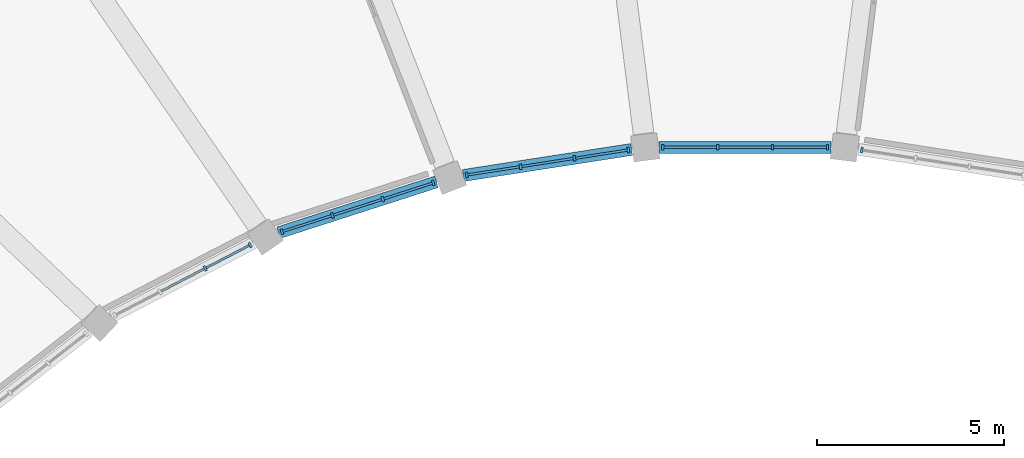
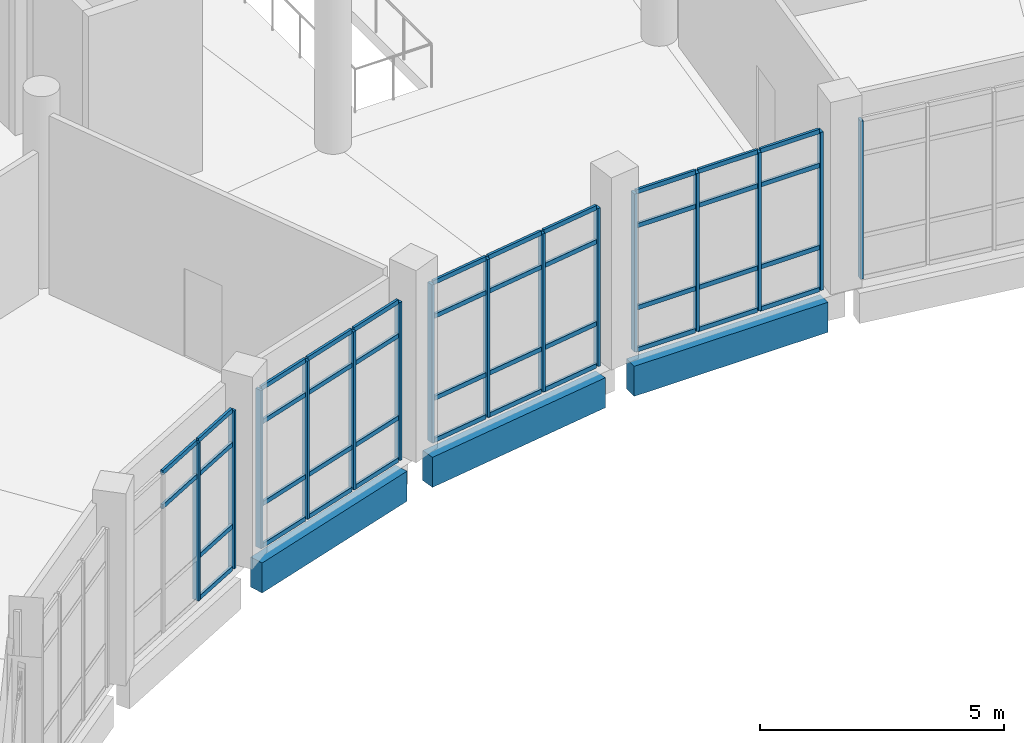
# One storey, part 20 of 179: 57 members, 3 beams, 5 elements without a shape of their own.
"""IFC4 building model written with IfcOpenShell, lengths in metres."""

from ifc_helpers import new_model, si_unit, direction, frame, origin, origin_2d, place, context, subcontext, project, spatial, rectangle, extrude, material, layer, layer_set, material_profile, profile_set, type_object, element, aggregate, save


model = new_model("IFC4")

# Units and contexts
model_context = context("Model", 3, precision=1e-05, world=origin(), true_north=direction((0.0, 1.0)))
body_context = subcontext(model_context, "Body", "Model", "MODEL_VIEW")
ifc_project = project(units=[si_unit("LENGTHUNIT", "METRE"), si_unit("AREAUNIT", "SQUARE_METRE"), si_unit("VOLUMEUNIT", "CUBIC_METRE"), si_unit("PLANEANGLEUNIT", "RADIAN"), si_unit("MASSUNIT", "GRAM", prefix="KILO")], contexts=[model_context])

# Site, building, storey
site_placement = place(None, origin())
site = spatial("IfcSite", under=ifc_project, at=site_placement, CompositionType="ELEMENT")
building_placement = place(site_placement, origin())
building = spatial("IfcBuilding", under=site, at=building_placement, Name="Corvandel Quay Wholesale Market", CompositionType="ELEMENT")
storey_placement = place(building_placement, frame((0.0, 0.0, 6.0)))
storey = spatial("IfcBuildingStorey", under=building, at=storey_placement, Name="L01", CompositionType="ELEMENT", Elevation=6.0)

# Curtain wall, member
ifc_material_1 = material(Name="Bronze anodised aluminium and low-E insulated glazing", Category="aluminium")
ifc_layer_1 = layer(ifc_material_1, 0.162109375)
ifc_layer_set_1 = layer_set([ifc_layer_1], Name="Bronze anodised aluminium and low-E insulated glazing")
curtain_wall_type_1 = type_object("IfcCurtainWallType", Name="Stick Curtain Wall System CW21 H4890", PredefinedType="NOTDEFINED", material=ifc_layer_set_1)
curtain_wall_1_placement = place(storey_placement, origin())
curtain_wall_1 = element("IfcCurtainWall", 1, at=curtain_wall_1_placement, inside=storey, type_object=curtain_wall_type_1, Name="Curtain Wall CW-0020", PredefinedType="NOTDEFINED")
ifc_material_2 = material(Name="Anodised aluminium 6063-T6", Category="aluminium")
ifc_material_profile_1 = material_profile(ifc_material_2, rectangle(XDim=0.06494140625, YDim=0.14990234375, at=origin_2d()), Name="ALU-MUL-65x150")
ifc_profile_set_1 = profile_set([ifc_material_profile_1], Name="Anodised aluminium 6063-T6")
member_type_1 = type_object("IfcMemberType", Name="Curtain Wall Mullion ML02 65x150", PredefinedType="MULLION", material=ifc_profile_set_1)
member_1_placement = place(storey_placement, frame((117.113525390625, 62.9296875, 0.0), z_axis=(0.0, 0.0, 1.0), x_axis=(-0.98825506746, 0.152813355565, 0.0)))
member_1 = element("IfcMember", 2, at=member_1_placement, type_object=member_type_1, Name="Mullion CW-0020-M03", PredefinedType="MULLION", context=body_context, shape_type="SweptSolid", body=[
    extrude(rectangle(XDim=0.06494140625, YDim=0.14990234375, at=origin_2d()), origin(), (0.0, 0.0, 1.0), 3.949951171875),
])
aggregate(curtain_wall_1, [member_1])

# Curtain wall, members
ifc_layer_2 = layer(ifc_material_1, 0.174072265625)
ifc_layer_set_2 = layer_set([ifc_layer_2], Name="Bronze anodised aluminium and low-E insulated glazing")
curtain_wall_type_2 = type_object("IfcCurtainWallType", Name="Stick Curtain Wall System CW22 H4980", PredefinedType="NOTDEFINED", material=ifc_layer_set_2)
curtain_wall_2_placement = place(storey_placement, origin())
curtain_wall_2 = element("IfcCurtainWall", 3, at=curtain_wall_2_placement, inside=storey, type_object=curtain_wall_type_2, Name="Curtain Wall CW-0022", PredefinedType="NOTDEFINED")
member_2_placement = place(storey_placement, frame((116.198974609375, 63.0, 0.0), z_axis=(0.0, 0.0, 1.0), x_axis=(1.0, 0.0, 0.0)))
member_2 = element("IfcMember", 4, at=member_2_placement, type_object=member_type_1, Name="Mullion CW-0022-M00", PredefinedType="MULLION", context=body_context, shape_type="SweptSolid", body=[
    extrude(rectangle(XDim=0.06494140625, YDim=0.14990234375, at=origin_2d()), origin(), (0.0, 0.0, 1.0), 3.949951171875),
])
member_3_placement = place(storey_placement, frame((114.73291015625, 63.0, 0.0), z_axis=(0.0, 0.0, 1.0), x_axis=(1.0, 0.0, 0.0)))
member_3 = element("IfcMember", 5, at=member_3_placement, type_object=member_type_1, Name="Mullion CW-0022-M01", PredefinedType="MULLION", context=body_context, shape_type="SweptSolid", body=[
    extrude(rectangle(XDim=0.06494140625, YDim=0.14990234375, at=origin_2d()), origin(), (0.0, 0.0, 1.0), 3.949951171875),
])
member_4_placement = place(storey_placement, frame((113.26708984375, 63.0, 0.0), z_axis=(0.0, 0.0, 1.0), x_axis=(1.0, 0.0, 0.0)))
member_4 = element("IfcMember", 6, at=member_4_placement, type_object=member_type_1, Name="Mullion CW-0022-M02", PredefinedType="MULLION", context=body_context, shape_type="SweptSolid", body=[
    extrude(rectangle(XDim=0.06494140625, YDim=0.14990234375, at=origin_2d()), origin(), (0.0, 0.0, 1.0), 3.949951171875),
])
member_5_placement = place(storey_placement, frame((111.801025390625, 63.0, 0.0), z_axis=(0.0, 0.0, 1.0), x_axis=(1.0, 0.0, 0.0)))
member_5 = element("IfcMember", 7, at=member_5_placement, type_object=member_type_1, Name="Mullion CW-0022-M03", PredefinedType="MULLION", context=body_context, shape_type="SweptSolid", body=[
    extrude(rectangle(XDim=0.06494140625, YDim=0.14990234375, at=origin_2d()), origin(), (0.0, 0.0, 1.0), 3.949951171875),
])

ifc_layer_3 = layer(ifc_material_1, 0.18603515625)
ifc_layer_set_3 = layer_set([ifc_layer_3], Name="Bronze anodised aluminium and low-E insulated glazing")
curtain_wall_type_3 = type_object("IfcCurtainWallType", Name="Stick Curtain Wall System CW23 H5070", PredefinedType="NOTDEFINED", material=ifc_layer_set_3)
curtain_wall_3_placement = place(storey_placement, origin())
curtain_wall_3 = element("IfcCurtainWall", 8, at=curtain_wall_3_placement, inside=storey, type_object=curtain_wall_type_3, Name="Curtain Wall CW-0025", PredefinedType="NOTDEFINED")
member_6_placement = place(storey_placement, frame((110.886474609375, 62.9296875, 0.0), z_axis=(0.0, 0.0, 1.0), x_axis=(0.98825506746, 0.152813355565, 0.0)))
member_6 = element("IfcMember", 9, at=member_6_placement, type_object=member_type_1, Name="Mullion CW-0025-M00", PredefinedType="MULLION", context=body_context, shape_type="SweptSolid", body=[
    extrude(rectangle(XDim=0.06494140625, YDim=0.14990234375, at=origin_2d()), origin(), (0.0, 0.0, 1.0), 3.949951171875),
])
member_7_placement = place(storey_placement, frame((109.450439453125, 62.70751953125, 0.0), z_axis=(0.0, 0.0, 1.0), x_axis=(0.98825506746, 0.152813355565, 0.0)))
member_7 = element("IfcMember", 10, at=member_7_placement, type_object=member_type_1, Name="Mullion CW-0025-M01", PredefinedType="MULLION", context=body_context, shape_type="SweptSolid", body=[
    extrude(rectangle(XDim=0.06494140625, YDim=0.14990234375, at=origin_2d()), origin(), (0.0, 0.0, 1.0), 3.949951171875),
])
member_8_placement = place(storey_placement, frame((108.014404296875, 62.4853515625, 0.0), z_axis=(0.0, 0.0, 1.0), x_axis=(0.98825506746, 0.152813355565, 0.0)))
member_8 = element("IfcMember", 11, at=member_8_placement, type_object=member_type_1, Name="Mullion CW-0025-M02", PredefinedType="MULLION", context=body_context, shape_type="SweptSolid", body=[
    extrude(rectangle(XDim=0.06494140625, YDim=0.14990234375, at=origin_2d()), origin(), (0.0, 0.0, 1.0), 3.949951171875),
])
member_9_placement = place(storey_placement, frame((106.57861328125, 62.26318359375, 0.0), z_axis=(0.0, 0.0, 1.0), x_axis=(0.98825506746, 0.152813355565, 0.0)))
member_9 = element("IfcMember", 12, at=member_9_placement, type_object=member_type_1, Name="Mullion CW-0025-M03", PredefinedType="MULLION", context=body_context, shape_type="SweptSolid", body=[
    extrude(rectangle(XDim=0.06494140625, YDim=0.14990234375, at=origin_2d()), origin(), (0.0, 0.0, 1.0), 3.949951171875),
])

ifc_layer_4 = layer(ifc_material_1, 0.197998046875)
ifc_layer_set_4 = layer_set([ifc_layer_4], Name="Bronze anodised aluminium and low-E insulated glazing")
curtain_wall_type_4 = type_object("IfcCurtainWallType", Name="Stick Curtain Wall System CW24 H5160", PredefinedType="NOTDEFINED", material=ifc_layer_set_4)
curtain_wall_4_placement = place(storey_placement, origin())
curtain_wall_4 = element("IfcCurtainWall", 13, at=curtain_wall_4_placement, inside=storey, type_object=curtain_wall_type_4, Name="Curtain Wall CW-0028", PredefinedType="NOTDEFINED")
member_10_placement = place(storey_placement, frame((105.686279296875, 62.052001953125, 0.0), z_axis=(0.0, 0.0, 1.0), x_axis=(0.951808747363, 0.306692204733, 0.0)))
member_10 = element("IfcMember", 14, at=member_10_placement, type_object=member_type_1, Name="Mullion CW-0028-M00", PredefinedType="MULLION", context=body_context, shape_type="SweptSolid", body=[
    extrude(rectangle(XDim=0.06494140625, YDim=0.14990234375, at=origin_2d()), origin(), (0.0, 0.0, 1.0), 3.949951171875),
])
member_11_placement = place(storey_placement, frame((104.34033203125, 61.618408203125, 0.0), z_axis=(0.0, 0.0, 1.0), x_axis=(0.951808747363, 0.306692204733, 0.0)))
member_11 = element("IfcMember", 15, at=member_11_placement, type_object=member_type_1, Name="Mullion CW-0028-M01", PredefinedType="MULLION", context=body_context, shape_type="SweptSolid", body=[
    extrude(rectangle(XDim=0.06494140625, YDim=0.14990234375, at=origin_2d()), origin(), (0.0, 0.0, 1.0), 3.949951171875),
])
member_12_placement = place(storey_placement, frame((102.99462890625, 61.184814453125, 0.0), z_axis=(0.0, 0.0, 1.0), x_axis=(0.951808747363, 0.306692204733, 0.0)))
member_12 = element("IfcMember", 16, at=member_12_placement, type_object=member_type_1, Name="Mullion CW-0028-M02", PredefinedType="MULLION", context=body_context, shape_type="SweptSolid", body=[
    extrude(rectangle(XDim=0.06494140625, YDim=0.14990234375, at=origin_2d()), origin(), (0.0, 0.0, 1.0), 3.949951171875),
])
member_13_placement = place(storey_placement, frame((101.648681640625, 60.751220703125, 0.0), z_axis=(0.0, 0.0, 1.0), x_axis=(0.951808747363, 0.306692204733, 0.0)))
member_13 = element("IfcMember", 17, at=member_13_placement, type_object=member_type_1, Name="Mullion CW-0028-M03", PredefinedType="MULLION", context=body_context, shape_type="SweptSolid", body=[
    extrude(rectangle(XDim=0.06494140625, YDim=0.14990234375, at=origin_2d()), origin(), (0.0, 0.0, 1.0), 3.949951171875),
])

ifc_layer_5 = layer(ifc_material_1, 0.14990234375)
ifc_layer_set_5 = layer_set([ifc_layer_5], Name="Bronze anodised aluminium and low-E insulated glazing")
curtain_wall_type_5 = type_object("IfcCurtainWallType", Name="Stick Curtain Wall System CW25 H5250", PredefinedType="NOTDEFINED", material=ifc_layer_set_5)
curtain_wall_5_placement = place(storey_placement, origin())
curtain_wall_5 = element("IfcCurtainWall", 18, at=curtain_wall_5_placement, inside=storey, type_object=curtain_wall_type_5, Name="Curtain Wall CW-0032", PredefinedType="NOTDEFINED")
member_14_placement = place(storey_placement, frame((100.802734375, 60.39794921875, 0.0), z_axis=(0.0, 0.0, 1.0), x_axis=(0.887332978338, 0.461129250378, 0.0)))
member_14 = element("IfcMember", 19, at=member_14_placement, type_object=member_type_1, Name="Mullion CW-0032-M00", PredefinedType="MULLION", context=body_context, shape_type="SweptSolid", body=[
    extrude(rectangle(XDim=0.06494140625, YDim=0.14990234375, at=origin_2d()), origin(), (0.0, 0.0, 1.0), 3.949951171875),
])
member_15_placement = place(storey_placement, frame((99.600830078125, 59.773193359375, 0.0), z_axis=(0.0, 0.0, 1.0), x_axis=(0.887332978338, 0.461129250378, 0.0)))
member_15 = element("IfcMember", 20, at=member_15_placement, type_object=member_type_1, Name="Mullion CW-0032-M01", PredefinedType="MULLION", context=body_context, shape_type="SweptSolid", body=[
    extrude(rectangle(XDim=0.06494140625, YDim=0.14990234375, at=origin_2d()), origin(), (0.0, 0.0, 1.0), 3.949951171875),
])

# Member
ifc_material_profile_2 = material_profile(ifc_material_2, rectangle(XDim=0.06005859375, YDim=0.110107421875, at=origin_2d()), Name="ALU-TRN-60x110")
ifc_profile_set_2 = profile_set([ifc_material_profile_2], Name="Anodised aluminium 6063-T6")
member_type_2 = type_object("IfcMemberType", Name="Curtain Wall Transom TR02 60x110", PredefinedType="USERDEFINED", material=ifc_profile_set_2)
member_16_placement = place(storey_placement, frame((116.16650390625, 63.0, 0.0), z_axis=(-1.0, 0.0, 0.0), x_axis=(0.0, -1.0, 0.0)))
member_16 = element("IfcMember", 21, at=member_16_placement, type_object=member_type_2, Name="Transom CW-0022-T00-0", ObjectType="TRANSOM", PredefinedType="USERDEFINED", context=body_context, shape_type="SweptSolid", body=[
    extrude(rectangle(XDim=0.06005859375, YDim=0.110107421875, at=origin_2d()), origin(), (0.0, 0.0, 1.0), 1.401123046875),
])

member_17_placement = place(storey_placement, frame((116.16650390625, 63.0, 1.050048828125), z_axis=(-1.0, 0.0, 0.0), x_axis=(0.0, -1.0, 0.0)))
member_17 = element("IfcMember", 22, at=member_17_placement, type_object=member_type_2, Name="Transom CW-0022-T00-1", ObjectType="TRANSOM", PredefinedType="USERDEFINED", context=body_context, shape_type="SweptSolid", body=[
    extrude(rectangle(XDim=0.06005859375, YDim=0.110107421875, at=origin_2d()), origin(), (0.0, 0.0, 1.0), 1.401123046875),
])

member_18_placement = place(storey_placement, frame((116.16650390625, 63.0, 3.10009765625), z_axis=(-1.0, 0.0, 0.0), x_axis=(0.0, -1.0, 0.0)))
member_18 = element("IfcMember", 23, at=member_18_placement, type_object=member_type_2, Name="Transom CW-0022-T00-2", ObjectType="TRANSOM", PredefinedType="USERDEFINED", context=body_context, shape_type="SweptSolid", body=[
    extrude(rectangle(XDim=0.06005859375, YDim=0.110107421875, at=origin_2d()), origin(), (0.0, 0.0, 1.0), 1.401123046875),
])

member_19_placement = place(storey_placement, frame((116.16650390625, 63.0, 3.949951171875), z_axis=(-1.0, 0.0, 0.0), x_axis=(0.0, -1.0, 0.0)))
member_19 = element("IfcMember", 24, at=member_19_placement, type_object=member_type_2, Name="Transom CW-0022-T00-3", ObjectType="TRANSOM", PredefinedType="USERDEFINED", context=body_context, shape_type="SweptSolid", body=[
    extrude(rectangle(XDim=0.06005859375, YDim=0.110107421875, at=origin_2d()), origin(), (0.0, 0.0, 1.0), 1.401123046875),
])

member_20_placement = place(storey_placement, frame((114.700439453125, 63.0, 0.0), z_axis=(-1.0, 0.0, 0.0), x_axis=(0.0, -1.0, 0.0)))
member_20 = element("IfcMember", 25, at=member_20_placement, type_object=member_type_2, Name="Transom CW-0022-T01-0", ObjectType="TRANSOM", PredefinedType="USERDEFINED", context=body_context, shape_type="SweptSolid", body=[
    extrude(rectangle(XDim=0.06005859375, YDim=0.110107421875, at=origin_2d()), origin(), (0.0, 0.0, 1.0), 1.40087890625),
])

member_21_placement = place(storey_placement, frame((114.700439453125, 63.0, 1.050048828125), z_axis=(-1.0, 0.0, 0.0), x_axis=(0.0, -1.0, 0.0)))
member_21 = element("IfcMember", 26, at=member_21_placement, type_object=member_type_2, Name="Transom CW-0022-T01-1", ObjectType="TRANSOM", PredefinedType="USERDEFINED", context=body_context, shape_type="SweptSolid", body=[
    extrude(rectangle(XDim=0.06005859375, YDim=0.110107421875, at=origin_2d()), origin(), (0.0, 0.0, 1.0), 1.40087890625),
])

member_22_placement = place(storey_placement, frame((114.700439453125, 63.0, 3.10009765625), z_axis=(-1.0, 0.0, 0.0), x_axis=(0.0, -1.0, 0.0)))
member_22 = element("IfcMember", 27, at=member_22_placement, type_object=member_type_2, Name="Transom CW-0022-T01-2", ObjectType="TRANSOM", PredefinedType="USERDEFINED", context=body_context, shape_type="SweptSolid", body=[
    extrude(rectangle(XDim=0.06005859375, YDim=0.110107421875, at=origin_2d()), origin(), (0.0, 0.0, 1.0), 1.40087890625),
])

member_23_placement = place(storey_placement, frame((114.700439453125, 63.0, 3.949951171875), z_axis=(-1.0, 0.0, 0.0), x_axis=(0.0, -1.0, 0.0)))
member_23 = element("IfcMember", 28, at=member_23_placement, type_object=member_type_2, Name="Transom CW-0022-T01-3", ObjectType="TRANSOM", PredefinedType="USERDEFINED", context=body_context, shape_type="SweptSolid", body=[
    extrude(rectangle(XDim=0.06005859375, YDim=0.110107421875, at=origin_2d()), origin(), (0.0, 0.0, 1.0), 1.40087890625),
])

member_24_placement = place(storey_placement, frame((113.234619140625, 63.0, 0.0), z_axis=(-1.0, 0.0, 0.0), x_axis=(0.0, -1.0, 0.0)))
member_24 = element("IfcMember", 29, at=member_24_placement, type_object=member_type_2, Name="Transom CW-0022-T02-0", ObjectType="TRANSOM", PredefinedType="USERDEFINED", context=body_context, shape_type="SweptSolid", body=[
    extrude(rectangle(XDim=0.06005859375, YDim=0.110107421875, at=origin_2d()), origin(), (0.0, 0.0, 1.0), 1.401123046875),
])

member_25_placement = place(storey_placement, frame((113.234619140625, 63.0, 1.050048828125), z_axis=(-1.0, 0.0, 0.0), x_axis=(0.0, -1.0, 0.0)))
member_25 = element("IfcMember", 30, at=member_25_placement, type_object=member_type_2, Name="Transom CW-0022-T02-1", ObjectType="TRANSOM", PredefinedType="USERDEFINED", context=body_context, shape_type="SweptSolid", body=[
    extrude(rectangle(XDim=0.06005859375, YDim=0.110107421875, at=origin_2d()), origin(), (0.0, 0.0, 1.0), 1.401123046875),
])

member_26_placement = place(storey_placement, frame((113.234619140625, 63.0, 3.10009765625), z_axis=(-1.0, 0.0, 0.0), x_axis=(0.0, -1.0, 0.0)))
member_26 = element("IfcMember", 31, at=member_26_placement, type_object=member_type_2, Name="Transom CW-0022-T02-2", ObjectType="TRANSOM", PredefinedType="USERDEFINED", context=body_context, shape_type="SweptSolid", body=[
    extrude(rectangle(XDim=0.06005859375, YDim=0.110107421875, at=origin_2d()), origin(), (0.0, 0.0, 1.0), 1.401123046875),
])

member_27_placement = place(storey_placement, frame((113.234619140625, 63.0, 3.949951171875), z_axis=(-1.0, 0.0, 0.0), x_axis=(0.0, -1.0, 0.0)))
member_27 = element("IfcMember", 32, at=member_27_placement, type_object=member_type_2, Name="Transom CW-0022-T02-3", ObjectType="TRANSOM", PredefinedType="USERDEFINED", context=body_context, shape_type="SweptSolid", body=[
    extrude(rectangle(XDim=0.06005859375, YDim=0.110107421875, at=origin_2d()), origin(), (0.0, 0.0, 1.0), 1.401123046875),
])

aggregate(curtain_wall_2, [member_2, member_3, member_4, member_5, member_16, member_17, member_18, member_19, member_20, member_21, member_22, member_23, member_24, member_25, member_26, member_27])

member_28_placement = place(storey_placement, frame((110.854248046875, 62.9248046875, 0.0), z_axis=(-0.988220730505, -0.153035250185, 0.0), x_axis=(0.153035250185, -0.988220730505, 0.0)))
member_28 = element("IfcMember", 33, at=member_28_placement, type_object=member_type_2, Name="Transom CW-0025-T00-0", ObjectType="TRANSOM", PredefinedType="USERDEFINED", context=body_context, shape_type="SweptSolid", body=[
    extrude(rectangle(XDim=0.06005859375, YDim=0.110107421875, at=origin_2d()), origin(), (0.0, 0.0, 1.0), 1.387939453125),
])

member_29_placement = place(storey_placement, frame((110.854248046875, 62.9248046875, 1.050048828125), z_axis=(-0.988220730505, -0.153035250185, 0.0), x_axis=(0.153035250185, -0.988220730505, 0.0)))
member_29 = element("IfcMember", 34, at=member_29_placement, type_object=member_type_2, Name="Transom CW-0025-T00-1", ObjectType="TRANSOM", PredefinedType="USERDEFINED", context=body_context, shape_type="SweptSolid", body=[
    extrude(rectangle(XDim=0.06005859375, YDim=0.110107421875, at=origin_2d()), origin(), (0.0, 0.0, 1.0), 1.387939453125),
])

member_30_placement = place(storey_placement, frame((110.854248046875, 62.9248046875, 3.10009765625), z_axis=(-0.988220730505, -0.153035250185, 0.0), x_axis=(0.153035250185, -0.988220730505, 0.0)))
member_30 = element("IfcMember", 35, at=member_30_placement, type_object=member_type_2, Name="Transom CW-0025-T00-2", ObjectType="TRANSOM", PredefinedType="USERDEFINED", context=body_context, shape_type="SweptSolid", body=[
    extrude(rectangle(XDim=0.06005859375, YDim=0.110107421875, at=origin_2d()), origin(), (0.0, 0.0, 1.0), 1.387939453125),
])

member_31_placement = place(storey_placement, frame((110.854248046875, 62.9248046875, 3.949951171875), z_axis=(-0.988220730505, -0.153035250185, 0.0), x_axis=(0.153035250185, -0.988220730505, 0.0)))
member_31 = element("IfcMember", 36, at=member_31_placement, type_object=member_type_2, Name="Transom CW-0025-T00-3", ObjectType="TRANSOM", PredefinedType="USERDEFINED", context=body_context, shape_type="SweptSolid", body=[
    extrude(rectangle(XDim=0.06005859375, YDim=0.110107421875, at=origin_2d()), origin(), (0.0, 0.0, 1.0), 1.387939453125),
])

member_32_placement = place(storey_placement, frame((109.418212890625, 62.70263671875, 0.0), z_axis=(-0.988247318497, -0.152863460266, 0.0), x_axis=(0.152863460266, -0.988247318497, 0.0)))
member_32 = element("IfcMember", 37, at=member_32_placement, type_object=member_type_2, Name="Transom CW-0025-T01-0", ObjectType="TRANSOM", PredefinedType="USERDEFINED", context=body_context, shape_type="SweptSolid", body=[
    extrude(rectangle(XDim=0.06005859375, YDim=0.110107421875, at=origin_2d()), origin(), (0.0, 0.0, 1.0), 1.387939453125),
])

member_33_placement = place(storey_placement, frame((109.418212890625, 62.70263671875, 1.050048828125), z_axis=(-0.988247318497, -0.152863460266, 0.0), x_axis=(0.152863460266, -0.988247318497, 0.0)))
member_33 = element("IfcMember", 38, at=member_33_placement, type_object=member_type_2, Name="Transom CW-0025-T01-1", ObjectType="TRANSOM", PredefinedType="USERDEFINED", context=body_context, shape_type="SweptSolid", body=[
    extrude(rectangle(XDim=0.06005859375, YDim=0.110107421875, at=origin_2d()), origin(), (0.0, 0.0, 1.0), 1.387939453125),
])

member_34_placement = place(storey_placement, frame((109.418212890625, 62.70263671875, 3.10009765625), z_axis=(-0.988247318497, -0.152863460266, 0.0), x_axis=(0.152863460266, -0.988247318497, 0.0)))
member_34 = element("IfcMember", 39, at=member_34_placement, type_object=member_type_2, Name="Transom CW-0025-T01-2", ObjectType="TRANSOM", PredefinedType="USERDEFINED", context=body_context, shape_type="SweptSolid", body=[
    extrude(rectangle(XDim=0.06005859375, YDim=0.110107421875, at=origin_2d()), origin(), (0.0, 0.0, 1.0), 1.387939453125),
])

member_35_placement = place(storey_placement, frame((109.418212890625, 62.70263671875, 3.949951171875), z_axis=(-0.988247318497, -0.152863460266, 0.0), x_axis=(0.152863460266, -0.988247318497, 0.0)))
member_35 = element("IfcMember", 40, at=member_35_placement, type_object=member_type_2, Name="Transom CW-0025-T01-3", ObjectType="TRANSOM", PredefinedType="USERDEFINED", context=body_context, shape_type="SweptSolid", body=[
    extrude(rectangle(XDim=0.06005859375, YDim=0.110107421875, at=origin_2d()), origin(), (0.0, 0.0, 1.0), 1.387939453125),
])

member_36_placement = place(storey_placement, frame((107.982421875, 62.48046875, 0.0), z_axis=(-0.988251427893, -0.152836891055, 0.0), x_axis=(0.152836891055, -0.988251427893, 0.0)))
member_36 = element("IfcMember", 41, at=member_36_placement, type_object=member_type_2, Name="Transom CW-0025-T02-0", ObjectType="TRANSOM", PredefinedType="USERDEFINED", context=body_context, shape_type="SweptSolid", body=[
    extrude(rectangle(XDim=0.06005859375, YDim=0.110107421875, at=origin_2d()), origin(), (0.0, 0.0, 1.0), 1.38818359375),
])

member_37_placement = place(storey_placement, frame((107.982421875, 62.48046875, 1.050048828125), z_axis=(-0.988251427893, -0.152836891055, 0.0), x_axis=(0.152836891055, -0.988251427893, 0.0)))
member_37 = element("IfcMember", 42, at=member_37_placement, type_object=member_type_2, Name="Transom CW-0025-T02-1", ObjectType="TRANSOM", PredefinedType="USERDEFINED", context=body_context, shape_type="SweptSolid", body=[
    extrude(rectangle(XDim=0.06005859375, YDim=0.110107421875, at=origin_2d()), origin(), (0.0, 0.0, 1.0), 1.38818359375),
])

member_38_placement = place(storey_placement, frame((107.982421875, 62.48046875, 3.10009765625), z_axis=(-0.988251427893, -0.152836891055, 0.0), x_axis=(0.152836891055, -0.988251427893, 0.0)))
member_38 = element("IfcMember", 43, at=member_38_placement, type_object=member_type_2, Name="Transom CW-0025-T02-2", ObjectType="TRANSOM", PredefinedType="USERDEFINED", context=body_context, shape_type="SweptSolid", body=[
    extrude(rectangle(XDim=0.06005859375, YDim=0.110107421875, at=origin_2d()), origin(), (0.0, 0.0, 1.0), 1.38818359375),
])

member_39_placement = place(storey_placement, frame((107.982421875, 62.48046875, 3.949951171875), z_axis=(-0.988251427893, -0.152836891055, 0.0), x_axis=(0.152836891055, -0.988251427893, 0.0)))
member_39 = element("IfcMember", 44, at=member_39_placement, type_object=member_type_2, Name="Transom CW-0025-T02-3", ObjectType="TRANSOM", PredefinedType="USERDEFINED", context=body_context, shape_type="SweptSolid", body=[
    extrude(rectangle(XDim=0.06005859375, YDim=0.110107421875, at=origin_2d()), origin(), (0.0, 0.0, 1.0), 1.38818359375),
])

aggregate(curtain_wall_3, [member_6, member_7, member_8, member_9, member_28, member_29, member_30, member_31, member_32, member_33, member_34, member_35, member_36, member_37, member_38, member_39])

member_40_placement = place(storey_placement, frame((105.6552734375, 62.0419921875, 0.0), z_axis=(-0.951838178612, -0.30660085084, 0.0), x_axis=(0.30660085084, -0.951838178612, 0.0)))
member_40 = element("IfcMember", 45, at=member_40_placement, type_object=member_type_2, Name="Transom CW-0028-T00-0", ObjectType="TRANSOM", PredefinedType="USERDEFINED", context=body_context, shape_type="SweptSolid", body=[
    extrude(rectangle(XDim=0.06005859375, YDim=0.110107421875, at=origin_2d()), origin(), (0.0, 0.0, 1.0), 1.348876953125),
])

member_41_placement = place(storey_placement, frame((105.6552734375, 62.0419921875, 1.050048828125), z_axis=(-0.951838178612, -0.30660085084, 0.0), x_axis=(0.30660085084, -0.951838178612, 0.0)))
member_41 = element("IfcMember", 46, at=member_41_placement, type_object=member_type_2, Name="Transom CW-0028-T00-1", ObjectType="TRANSOM", PredefinedType="USERDEFINED", context=body_context, shape_type="SweptSolid", body=[
    extrude(rectangle(XDim=0.06005859375, YDim=0.110107421875, at=origin_2d()), origin(), (0.0, 0.0, 1.0), 1.348876953125),
])

member_42_placement = place(storey_placement, frame((105.6552734375, 62.0419921875, 3.10009765625), z_axis=(-0.951838178612, -0.30660085084, 0.0), x_axis=(0.30660085084, -0.951838178612, 0.0)))
member_42 = element("IfcMember", 47, at=member_42_placement, type_object=member_type_2, Name="Transom CW-0028-T00-2", ObjectType="TRANSOM", PredefinedType="USERDEFINED", context=body_context, shape_type="SweptSolid", body=[
    extrude(rectangle(XDim=0.06005859375, YDim=0.110107421875, at=origin_2d()), origin(), (0.0, 0.0, 1.0), 1.348876953125),
])

member_43_placement = place(storey_placement, frame((105.6552734375, 62.0419921875, 3.949951171875), z_axis=(-0.951838178612, -0.30660085084, 0.0), x_axis=(0.30660085084, -0.951838178612, 0.0)))
member_43 = element("IfcMember", 48, at=member_43_placement, type_object=member_type_2, Name="Transom CW-0028-T00-3", ObjectType="TRANSOM", PredefinedType="USERDEFINED", context=body_context, shape_type="SweptSolid", body=[
    extrude(rectangle(XDim=0.06005859375, YDim=0.110107421875, at=origin_2d()), origin(), (0.0, 0.0, 1.0), 1.348876953125),
])

member_44_placement = place(storey_placement, frame((104.3095703125, 61.6083984375, 0.0), z_axis=(-0.951802374527, -0.306711981906, 0.0), x_axis=(0.306711981906, -0.951802374527, 0.0)))
member_44 = element("IfcMember", 49, at=member_44_placement, type_object=member_type_2, Name="Transom CW-0028-T01-0", ObjectType="TRANSOM", PredefinedType="USERDEFINED", context=body_context, shape_type="SweptSolid", body=[
    extrude(rectangle(XDim=0.06005859375, YDim=0.110107421875, at=origin_2d()), origin(), (0.0, 0.0, 1.0), 1.34912109375),
])

member_45_placement = place(storey_placement, frame((104.3095703125, 61.6083984375, 1.050048828125), z_axis=(-0.951802374527, -0.306711981906, 0.0), x_axis=(0.306711981906, -0.951802374527, 0.0)))
member_45 = element("IfcMember", 50, at=member_45_placement, type_object=member_type_2, Name="Transom CW-0028-T01-1", ObjectType="TRANSOM", PredefinedType="USERDEFINED", context=body_context, shape_type="SweptSolid", body=[
    extrude(rectangle(XDim=0.06005859375, YDim=0.110107421875, at=origin_2d()), origin(), (0.0, 0.0, 1.0), 1.34912109375),
])

member_46_placement = place(storey_placement, frame((104.3095703125, 61.6083984375, 3.10009765625), z_axis=(-0.951802374527, -0.306711981906, 0.0), x_axis=(0.306711981906, -0.951802374527, 0.0)))
member_46 = element("IfcMember", 51, at=member_46_placement, type_object=member_type_2, Name="Transom CW-0028-T01-2", ObjectType="TRANSOM", PredefinedType="USERDEFINED", context=body_context, shape_type="SweptSolid", body=[
    extrude(rectangle(XDim=0.06005859375, YDim=0.110107421875, at=origin_2d()), origin(), (0.0, 0.0, 1.0), 1.34912109375),
])

member_47_placement = place(storey_placement, frame((104.3095703125, 61.6083984375, 3.949951171875), z_axis=(-0.951802374527, -0.306711981906, 0.0), x_axis=(0.306711981906, -0.951802374527, 0.0)))
member_47 = element("IfcMember", 52, at=member_47_placement, type_object=member_type_2, Name="Transom CW-0028-T01-3", ObjectType="TRANSOM", PredefinedType="USERDEFINED", context=body_context, shape_type="SweptSolid", body=[
    extrude(rectangle(XDim=0.06005859375, YDim=0.110107421875, at=origin_2d()), origin(), (0.0, 0.0, 1.0), 1.34912109375),
])

member_48_placement = place(storey_placement, frame((102.963623046875, 61.1748046875, 0.0), z_axis=(-0.951785347661, -0.306764815418, 0.0), x_axis=(0.306764815418, -0.951785347661, 0.0)))
member_48 = element("IfcMember", 53, at=member_48_placement, type_object=member_type_2, Name="Transom CW-0028-T02-0", ObjectType="TRANSOM", PredefinedType="USERDEFINED", context=body_context, shape_type="SweptSolid", body=[
    extrude(rectangle(XDim=0.06005859375, YDim=0.110107421875, at=origin_2d()), origin(), (0.0, 0.0, 1.0), 1.348876953125),
])

member_49_placement = place(storey_placement, frame((102.963623046875, 61.1748046875, 1.050048828125), z_axis=(-0.951785347661, -0.306764815418, 0.0), x_axis=(0.306764815418, -0.951785347661, 0.0)))
member_49 = element("IfcMember", 54, at=member_49_placement, type_object=member_type_2, Name="Transom CW-0028-T02-1", ObjectType="TRANSOM", PredefinedType="USERDEFINED", context=body_context, shape_type="SweptSolid", body=[
    extrude(rectangle(XDim=0.06005859375, YDim=0.110107421875, at=origin_2d()), origin(), (0.0, 0.0, 1.0), 1.348876953125),
])

member_50_placement = place(storey_placement, frame((102.963623046875, 61.1748046875, 3.10009765625), z_axis=(-0.951785347661, -0.306764815418, 0.0), x_axis=(0.306764815418, -0.951785347661, 0.0)))
member_50 = element("IfcMember", 55, at=member_50_placement, type_object=member_type_2, Name="Transom CW-0028-T02-2", ObjectType="TRANSOM", PredefinedType="USERDEFINED", context=body_context, shape_type="SweptSolid", body=[
    extrude(rectangle(XDim=0.06005859375, YDim=0.110107421875, at=origin_2d()), origin(), (0.0, 0.0, 1.0), 1.348876953125),
])

member_51_placement = place(storey_placement, frame((102.963623046875, 61.1748046875, 3.949951171875), z_axis=(-0.951785347661, -0.306764815418, 0.0), x_axis=(0.306764815418, -0.951785347661, 0.0)))
member_51 = element("IfcMember", 56, at=member_51_placement, type_object=member_type_2, Name="Transom CW-0028-T02-3", ObjectType="TRANSOM", PredefinedType="USERDEFINED", context=body_context, shape_type="SweptSolid", body=[
    extrude(rectangle(XDim=0.06005859375, YDim=0.110107421875, at=origin_2d()), origin(), (0.0, 0.0, 1.0), 1.348876953125),
])

aggregate(curtain_wall_4, [member_10, member_11, member_12, member_13, member_40, member_41, member_42, member_43, member_44, member_45, member_46, member_47, member_48, member_49, member_50, member_51])

member_52_placement = place(storey_placement, frame((100.77392578125, 60.3828125, 0.0), z_axis=(-0.887350080726, -0.46109633943, 0.0), x_axis=(0.46109633943, -0.887350080726, 0.0)))
member_52 = element("IfcMember", 57, at=member_52_placement, type_object=member_type_2, Name="Transom CW-0032-T00-0", ObjectType="TRANSOM", PredefinedType="USERDEFINED", context=body_context, shape_type="SweptSolid", body=[
    extrude(rectangle(XDim=0.06005859375, YDim=0.110107421875, at=origin_2d()), origin(), (0.0, 0.0, 1.0), 1.289306640625),
])

member_53_placement = place(storey_placement, frame((100.77392578125, 60.3828125, 1.050048828125), z_axis=(-0.887350080726, -0.46109633943, 0.0), x_axis=(0.46109633943, -0.887350080726, 0.0)))
member_53 = element("IfcMember", 58, at=member_53_placement, type_object=member_type_2, Name="Transom CW-0032-T00-1", ObjectType="TRANSOM", PredefinedType="USERDEFINED", context=body_context, shape_type="SweptSolid", body=[
    extrude(rectangle(XDim=0.06005859375, YDim=0.110107421875, at=origin_2d()), origin(), (0.0, 0.0, 1.0), 1.289306640625),
])

member_54_placement = place(storey_placement, frame((100.77392578125, 60.3828125, 3.10009765625), z_axis=(-0.887350080726, -0.46109633943, 0.0), x_axis=(0.46109633943, -0.887350080726, 0.0)))
member_54 = element("IfcMember", 59, at=member_54_placement, type_object=member_type_2, Name="Transom CW-0032-T00-2", ObjectType="TRANSOM", PredefinedType="USERDEFINED", context=body_context, shape_type="SweptSolid", body=[
    extrude(rectangle(XDim=0.06005859375, YDim=0.110107421875, at=origin_2d()), origin(), (0.0, 0.0, 1.0), 1.289306640625),
])

member_55_placement = place(storey_placement, frame((100.77392578125, 60.3828125, 3.949951171875), z_axis=(-0.887350080726, -0.46109633943, 0.0), x_axis=(0.46109633943, -0.887350080726, 0.0)))
member_55 = element("IfcMember", 60, at=member_55_placement, type_object=member_type_2, Name="Transom CW-0032-T00-3", ObjectType="TRANSOM", PredefinedType="USERDEFINED", context=body_context, shape_type="SweptSolid", body=[
    extrude(rectangle(XDim=0.06005859375, YDim=0.110107421875, at=origin_2d()), origin(), (0.0, 0.0, 1.0), 1.289306640625),
])

member_56_placement = place(storey_placement, frame((99.572021484375, 59.75830078125, 3.10009765625), z_axis=(-0.887350080726, -0.46109633943, 0.0), x_axis=(0.46109633943, -0.887350080726, 0.0)))
member_56 = element("IfcMember", 61, at=member_56_placement, type_object=member_type_2, Name="Transom CW-0032-T01-2", ObjectType="TRANSOM", PredefinedType="USERDEFINED", context=body_context, shape_type="SweptSolid", body=[
    extrude(rectangle(XDim=0.06005859375, YDim=0.110107421875, at=origin_2d()), origin(), (0.0, 0.0, 1.0), 1.289306640625),
])

member_57_placement = place(storey_placement, frame((99.572021484375, 59.75830078125, 3.949951171875), z_axis=(-0.887350080726, -0.46109633943, 0.0), x_axis=(0.46109633943, -0.887350080726, 0.0)))
member_57 = element("IfcMember", 62, at=member_57_placement, type_object=member_type_2, Name="Transom CW-0032-T01-3", ObjectType="TRANSOM", PredefinedType="USERDEFINED", context=body_context, shape_type="SweptSolid", body=[
    extrude(rectangle(XDim=0.06005859375, YDim=0.110107421875, at=origin_2d()), origin(), (0.0, 0.0, 1.0), 1.289306640625),
])

aggregate(curtain_wall_5, [member_14, member_15, member_52, member_53, member_54, member_55, member_56, member_57])

# Beams
ifc_material_3 = material(Name="Precast concrete C45/55", Category="concrete")
ifc_material_profile_3 = material_profile(ifc_material_3, rectangle(XDim=0.320068359375, YDim=0.75, at=origin_2d()), Name="PC-SPN-320x750")
ifc_profile_set_3 = profile_set([ifc_material_profile_3], Name="Precast concrete C45/55")
beam_type = type_object("IfcBeamType", Name="Pavilion Precast Spandrel SP02 320x750", PredefinedType="SPANDREL", material=ifc_profile_set_3)
beam_1_placement = place(storey_placement, frame((116.2890625, 63.0, -0.655029296875), z_axis=(-1.0, 0.0, 0.0), x_axis=(0.0, -1.0, 0.0)))
element("IfcBeam", 63, at=beam_1_placement, inside=storey, type_object=beam_type, Name="Beam BM-0094", PredefinedType="SPANDREL", context=body_context, shape_type="SweptSolid", body=[
    extrude(rectangle(XDim=0.320068359375, YDim=0.75, at=origin_2d()), origin(), (0.0, 0.0, 1.0), 4.578125),
])
beam_2_placement = place(storey_placement, frame((110.975341796875, 62.943359375, -0.655029296875), z_axis=(-0.988247001744, -0.152865508026, 0.0), x_axis=(0.152865508026, -0.988247001744, 0.0)))
element("IfcBeam", 64, at=beam_2_placement, inside=storey, type_object=beam_type, Name="Beam BM-0106", PredefinedType="SPANDREL", context=body_context, shape_type="SweptSolid", body=[
    extrude(rectangle(XDim=0.320068359375, YDim=0.75, at=origin_2d()), origin(), (0.0, 0.0, 1.0), 4.5390625),
])
beam_3_placement = place(storey_placement, frame((105.771728515625, 62.07958984375, -0.655029296875), z_axis=(-0.951799647142, -0.30672044552, 0.0), x_axis=(0.30672044552, -0.951799647142, 0.0)))
element("IfcBeam", 65, at=beam_3_placement, inside=storey, type_object=beam_type, Name="Beam BM-0118", PredefinedType="SPANDREL", context=body_context, shape_type="SweptSolid", body=[
    extrude(rectangle(XDim=0.320068359375, YDim=0.75, at=origin_2d()), origin(), (0.0, 0.0, 1.0), 4.421630859375),
])

save(model, "model.ifc")
